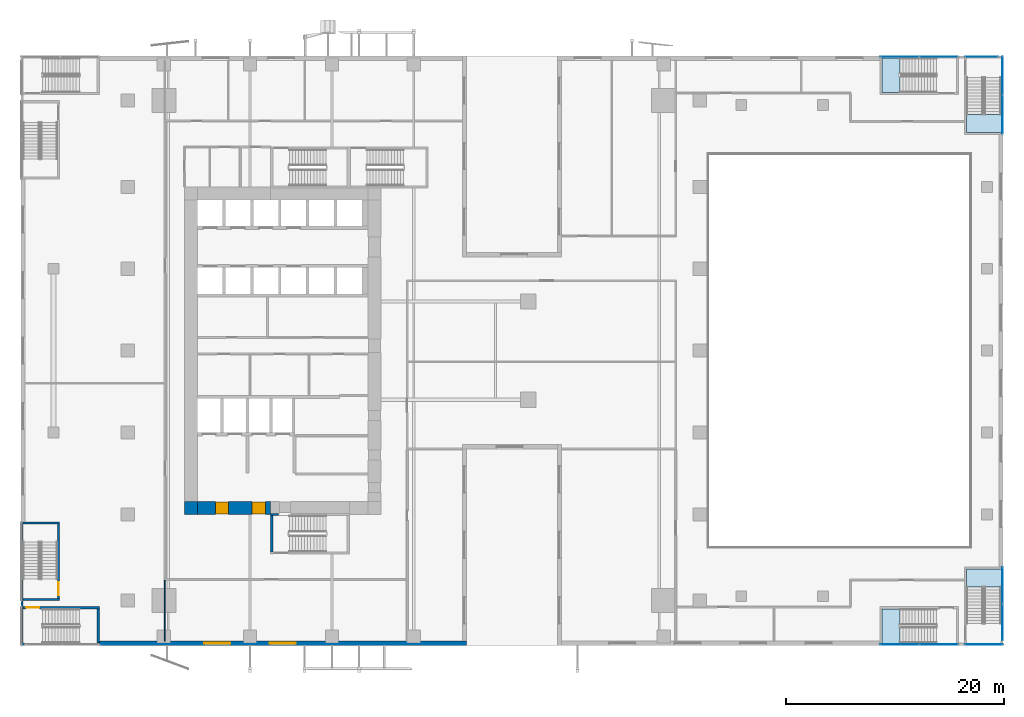
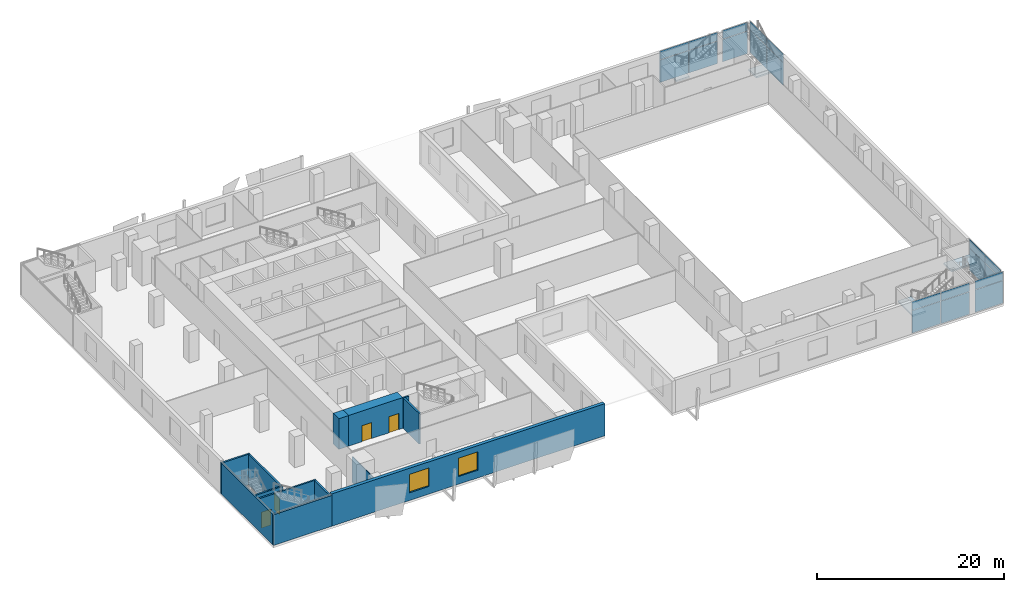
# One storey, part 9 of 21: 20 plates, 13 walls, 4 doors, 4 slabs, 2 windows, 6 openings, 10 elements without a shape of their own.
"""IFC4 building model written with IfcOpenShell, lengths in metres."""

from ifc_helpers import new_model, si_unit, direction, frame, frame_2d, origin, origin_2d, place, context, subcontext, project, spatial, polyline, rectangle, outline, extrude, source, transform, mapped, material, layer, layer_set, type_object, element, fill, aggregate, save


model = new_model("IFC4")

# Units and contexts
model_context = context("Model", 3, precision=1e-05, world=origin(), true_north=direction((0.0, 1.0)))
body_context = subcontext(model_context, "Body", "Model", "MODEL_VIEW")
ifc_project = project(units=[si_unit("LENGTHUNIT", "METRE"), si_unit("AREAUNIT", "SQUARE_METRE"), si_unit("VOLUMEUNIT", "CUBIC_METRE"), si_unit("PLANEANGLEUNIT", "RADIAN"), si_unit("MASSUNIT", "GRAM", prefix="KILO")], contexts=[model_context])

# Site, building, storey
site_placement = place(None, origin())
site = spatial("IfcSite", under=ifc_project, at=site_placement, CompositionType="ELEMENT")
building_placement = place(site_placement, origin())
building = spatial("IfcBuilding", under=site, at=building_placement, Name="Khomas Fold Tower", CompositionType="ELEMENT")
storey_placement = place(building_placement, frame((0.0, 0.0, 28.5)))
storey = spatial("IfcBuildingStorey", under=building, at=storey_placement, Name="L05", CompositionType="ELEMENT", Elevation=28.5)

# Curtain wall, plate
ifc_material_1 = material(Name="Aluminium framed double glazing", Category="aluminium")
curtain_wall_type = type_object("IfcCurtainWallType", Name="Shopfront glazing PD-CW", PredefinedType="NOTDEFINED", material=ifc_material_1)
curtain_wall_1_placement = place(storey_placement, origin())
curtain_wall_1 = element("IfcCurtainWall", 1, at=curtain_wall_1_placement, inside=storey, type_object=curtain_wall_type, Name="Podium stair-tower glazing", PredefinedType="NOTDEFINED")
ifc_material_2 = material(Name="Double glazed unit")
ifc_layer_1 = layer(ifc_material_2, 0.031982421875)
ifc_layer_set_1 = layer_set([ifc_layer_1], Name="Double glazed unit")
plate_type = type_object("IfcPlateType", Name="Shopfront glazing panel PD-CW-P", PredefinedType="CURTAIN_PANEL", material=ifc_layer_set_1)
shared_shape_1 = source(origin(), body_context, "Body", "SweptSolid", [
    extrude(rectangle(XDim=3.0400390625, YDim=0.031982421875, at=origin_2d()), origin(), (0.0, 0.0, 1.0), 2.909912109375),
])
plate_1_placement = place(storey_placement, frame((79.02001953125, 53.919921875, 0.06005859375), z_axis=(0.0, 0.0, 1.0), x_axis=(-1.0, 0.0, 0.0)))
plate_1 = element("IfcPlate", 2, at=plate_1_placement, type_object=plate_type, Name="PD-CW panel 1.1", PredefinedType="CURTAIN_PANEL", context=body_context, shape_type="MappedRepresentation", body=[
    mapped(shared_shape_1, transform((0.0, 0.0, 0.0))),
])

# Curtain wall, plates
curtain_wall_2_placement = place(storey_placement, origin())
curtain_wall_2 = element("IfcCurtainWall", 3, at=curtain_wall_2_placement, inside=storey, type_object=curtain_wall_type, Name="Podium stair-tower glazing", PredefinedType="NOTDEFINED")
shared_shape_2 = source(origin(), body_context, "Body", "SweptSolid", [
    extrude(rectangle(XDim=3.52001953125, YDim=0.031982421875, at=origin_2d()), origin(), (0.0, 0.0, 1.0), 2.909912109375),
])
plate_2_placement = place(storey_placement, frame((71.510009765625, 0.080078125, 0.06005859375), z_axis=(0.0, 0.0, 1.0), x_axis=(1.0, 0.0, 0.0)))
plate_2 = element("IfcPlate", 4, at=plate_2_placement, type_object=plate_type, Name="PD-CW panel 1.1", PredefinedType="CURTAIN_PANEL", context=body_context, shape_type="MappedRepresentation", body=[
    mapped(shared_shape_2, transform((0.0, 0.0, 0.0))),
])
plate_3_placement = place(storey_placement, frame((75.090087890625, 0.080078125, 0.06005859375), z_axis=(0.0, 0.0, 1.0), x_axis=(1.0, 0.0, 0.0)))
plate_3 = element("IfcPlate", 5, at=plate_3_placement, type_object=plate_type, Name="PD-CW panel 2.1", PredefinedType="CURTAIN_PANEL", context=body_context, shape_type="MappedRepresentation", body=[
    mapped(shared_shape_2, transform((0.0, 0.0, 0.0))),
])

curtain_wall_3_placement = place(storey_placement, origin())
curtain_wall_3 = element("IfcCurtainWall", 6, at=curtain_wall_3_placement, inside=storey, type_object=curtain_wall_type, Name="Podium stair-tower glazing", PredefinedType="NOTDEFINED")
plate_4_placement = place(storey_placement, frame((75.090087890625, 53.919921875, 0.06005859375), z_axis=(0.0, 0.0, 1.0), x_axis=(-1.0, 0.0, 0.0)))
plate_4 = element("IfcPlate", 7, at=plate_4_placement, type_object=plate_type, Name="PD-CW panel 1.1", PredefinedType="CURTAIN_PANEL", context=body_context, shape_type="MappedRepresentation", body=[
    mapped(shared_shape_2, transform((0.0, 0.0, 0.0))),
])
plate_5_placement = place(storey_placement, frame((71.510009765625, 53.919921875, 0.06005859375), z_axis=(0.0, 0.0, 1.0), x_axis=(-1.0, 0.0, 0.0)))
plate_5 = element("IfcPlate", 8, at=plate_5_placement, type_object=plate_type, Name="PD-CW panel 2.1", PredefinedType="CURTAIN_PANEL", context=body_context, shape_type="MappedRepresentation", body=[
    mapped(shared_shape_2, transform((0.0, 0.0, 0.0))),
])

# Curtain wall, plate
curtain_wall_4_placement = place(storey_placement, origin())
curtain_wall_4 = element("IfcCurtainWall", 9, at=curtain_wall_4_placement, inside=storey, type_object=curtain_wall_type, Name="Podium stair-tower glazing", PredefinedType="NOTDEFINED")
shared_shape_3 = source(origin(), body_context, "Body", "SweptSolid", [
    extrude(rectangle(XDim=3.43994140625, YDim=0.031982421875, at=origin_2d()), origin(), (0.0, 0.0, 1.0), 2.909912109375),
])
plate_6_placement = place(storey_placement, frame((79.219970703125, 0.080078125, 0.06005859375), z_axis=(0.0, 0.0, 1.0), x_axis=(1.0, 0.0, 0.0)))
plate_6 = element("IfcPlate", 10, at=plate_6_placement, type_object=plate_type, Name="PD-CW panel 1.1", PredefinedType="CURTAIN_PANEL", context=body_context, shape_type="MappedRepresentation", body=[
    mapped(shared_shape_3, transform((0.0, 0.0, 0.0))),
])

# Curtain wall, plates
curtain_wall_5_placement = place(storey_placement, origin())
curtain_wall_5 = element("IfcCurtainWall", 11, at=curtain_wall_5_placement, inside=storey, type_object=curtain_wall_type, Name="Podium stair-tower glazing", PredefinedType="NOTDEFINED")
shared_shape_4 = source(origin(), body_context, "Body", "SweptSolid", [
    extrude(rectangle(XDim=3.31494140625, YDim=0.031982421875, at=origin_2d()), origin(), (0.0, 0.0, 1.0), 2.909912109375),
])
plate_7_placement = place(storey_placement, frame((80.919921875, 2.117431640625, 0.06005859375), z_axis=(0.0, 0.0, 1.0), x_axis=(0.0, 1.0, 0.0)))
plate_7 = element("IfcPlate", 12, at=plate_7_placement, type_object=plate_type, Name="PD-CW panel 1.1", PredefinedType="CURTAIN_PANEL", context=body_context, shape_type="MappedRepresentation", body=[
    mapped(shared_shape_4, transform((0.0, 0.0, 0.0))),
])
plate_8_placement = place(storey_placement, frame((80.919921875, 5.492431640625, 0.06005859375), z_axis=(0.0, 0.0, 1.0), x_axis=(0.0, 1.0, 0.0)))
plate_8 = element("IfcPlate", 13, at=plate_8_placement, type_object=plate_type, Name="PD-CW panel 2.1", PredefinedType="CURTAIN_PANEL", context=body_context, shape_type="MappedRepresentation", body=[
    mapped(shared_shape_4, transform((0.0, 0.0, 0.0))),
])

curtain_wall_6_placement = place(storey_placement, origin())
curtain_wall_6 = element("IfcCurtainWall", 14, at=curtain_wall_6_placement, inside=storey, type_object=curtain_wall_type, Name="Podium stair-tower glazing", PredefinedType="NOTDEFINED")
shared_shape_5 = source(origin(), body_context, "Body", "SweptSolid", [
    extrude(rectangle(XDim=3.514892578125, YDim=0.031982421875, at=origin_2d()), origin(), (0.0, 0.0, 1.0), 2.909912109375),
])
plate_9_placement = place(storey_placement, frame((80.919921875, 48.607421875, 0.06005859375), z_axis=(0.0, 0.0, 1.0), x_axis=(0.0, 1.0, 0.0)))
plate_9 = element("IfcPlate", 15, at=plate_9_placement, type_object=plate_type, Name="PD-CW panel 1.1", PredefinedType="CURTAIN_PANEL", context=body_context, shape_type="MappedRepresentation", body=[
    mapped(shared_shape_5, transform((0.0, 0.0, 0.0))),
])
plate_10_placement = place(storey_placement, frame((80.919921875, 52.1826171875, 0.06005859375), z_axis=(0.0, 0.0, 1.0), x_axis=(0.0, 1.0, 0.0)))
plate_10 = element("IfcPlate", 16, at=plate_10_placement, type_object=plate_type, Name="PD-CW panel 2.1", PredefinedType="CURTAIN_PANEL", context=body_context, shape_type="MappedRepresentation", body=[
    mapped(shared_shape_5, transform((0.0, 0.0, 0.0))),
])

# Plate
shared_shape_6 = source(origin(), body_context, "Body", "SweptSolid", [
    extrude(rectangle(XDim=3.0400390625, YDim=0.031982421875, at=origin_2d()), origin(), (0.0, 0.0, 1.0), 1.110107421875),
])
plate_11_placement = place(storey_placement, frame((79.02001953125, 53.919921875, 3.02978515625), z_axis=(0.0, 0.0, 1.0), x_axis=(-1.0, 0.0, 0.0)))
plate_11 = element("IfcPlate", 17, at=plate_11_placement, type_object=plate_type, Name="PD-CW panel 1.2", PredefinedType="CURTAIN_PANEL", context=body_context, shape_type="MappedRepresentation", body=[
    mapped(shared_shape_6, transform((0.0, 0.0, 0.0))),
])

aggregate(curtain_wall_1, [plate_1, plate_11])

shared_shape_7 = source(origin(), body_context, "Body", "SweptSolid", [
    extrude(rectangle(XDim=3.52001953125, YDim=0.031982421875, at=origin_2d()), origin(), (0.0, 0.0, 1.0), 1.110107421875),
])
plate_12_placement = place(storey_placement, frame((71.510009765625, 0.080078125, 3.02978515625), z_axis=(0.0, 0.0, 1.0), x_axis=(1.0, 0.0, 0.0)))
plate_12 = element("IfcPlate", 18, at=plate_12_placement, type_object=plate_type, Name="PD-CW panel 1.2", PredefinedType="CURTAIN_PANEL", context=body_context, shape_type="MappedRepresentation", body=[
    mapped(shared_shape_7, transform((0.0, 0.0, 0.0))),
])

plate_13_placement = place(storey_placement, frame((75.090087890625, 0.080078125, 3.02978515625), z_axis=(0.0, 0.0, 1.0), x_axis=(1.0, 0.0, 0.0)))
plate_13 = element("IfcPlate", 19, at=plate_13_placement, type_object=plate_type, Name="PD-CW panel 2.2", PredefinedType="CURTAIN_PANEL", context=body_context, shape_type="MappedRepresentation", body=[
    mapped(shared_shape_7, transform((0.0, 0.0, 0.0))),
])

aggregate(curtain_wall_2, [plate_2, plate_12, plate_3, plate_13])

plate_14_placement = place(storey_placement, frame((75.090087890625, 53.919921875, 3.02978515625), z_axis=(0.0, 0.0, 1.0), x_axis=(-1.0, 0.0, 0.0)))
plate_14 = element("IfcPlate", 20, at=plate_14_placement, type_object=plate_type, Name="PD-CW panel 1.2", PredefinedType="CURTAIN_PANEL", context=body_context, shape_type="MappedRepresentation", body=[
    mapped(shared_shape_7, transform((0.0, 0.0, 0.0))),
])

plate_15_placement = place(storey_placement, frame((71.510009765625, 53.919921875, 3.02978515625), z_axis=(0.0, 0.0, 1.0), x_axis=(-1.0, 0.0, 0.0)))
plate_15 = element("IfcPlate", 21, at=plate_15_placement, type_object=plate_type, Name="PD-CW panel 2.2", PredefinedType="CURTAIN_PANEL", context=body_context, shape_type="MappedRepresentation", body=[
    mapped(shared_shape_7, transform((0.0, 0.0, 0.0))),
])

aggregate(curtain_wall_3, [plate_4, plate_14, plate_5, plate_15])

shared_shape_8 = source(origin(), body_context, "Body", "SweptSolid", [
    extrude(rectangle(XDim=3.43994140625, YDim=0.031982421875, at=origin_2d()), origin(), (0.0, 0.0, 1.0), 1.110107421875),
])
plate_16_placement = place(storey_placement, frame((79.219970703125, 0.080078125, 3.02978515625), z_axis=(0.0, 0.0, 1.0), x_axis=(1.0, 0.0, 0.0)))
plate_16 = element("IfcPlate", 22, at=plate_16_placement, type_object=plate_type, Name="PD-CW panel 1.2", PredefinedType="CURTAIN_PANEL", context=body_context, shape_type="MappedRepresentation", body=[
    mapped(shared_shape_8, transform((0.0, 0.0, 0.0))),
])

aggregate(curtain_wall_4, [plate_6, plate_16])

shared_shape_9 = source(origin(), body_context, "Body", "SweptSolid", [
    extrude(rectangle(XDim=3.31494140625, YDim=0.031982421875, at=origin_2d()), origin(), (0.0, 0.0, 1.0), 1.110107421875),
])
plate_17_placement = place(storey_placement, frame((80.919921875, 2.117431640625, 3.02978515625), z_axis=(0.0, 0.0, 1.0), x_axis=(0.0, 1.0, 0.0)))
plate_17 = element("IfcPlate", 23, at=plate_17_placement, type_object=plate_type, Name="PD-CW panel 1.2", PredefinedType="CURTAIN_PANEL", context=body_context, shape_type="MappedRepresentation", body=[
    mapped(shared_shape_9, transform((0.0, 0.0, 0.0))),
])

plate_18_placement = place(storey_placement, frame((80.919921875, 5.492431640625, 3.02978515625), z_axis=(0.0, 0.0, 1.0), x_axis=(0.0, 1.0, 0.0)))
plate_18 = element("IfcPlate", 24, at=plate_18_placement, type_object=plate_type, Name="PD-CW panel 2.2", PredefinedType="CURTAIN_PANEL", context=body_context, shape_type="MappedRepresentation", body=[
    mapped(shared_shape_9, transform((0.0, 0.0, 0.0))),
])

aggregate(curtain_wall_5, [plate_7, plate_17, plate_8, plate_18])

shared_shape_10 = source(origin(), body_context, "Body", "SweptSolid", [
    extrude(rectangle(XDim=3.514892578125, YDim=0.031982421875, at=origin_2d()), origin(), (0.0, 0.0, 1.0), 1.110107421875),
])
plate_19_placement = place(storey_placement, frame((80.919921875, 48.607421875, 3.02978515625), z_axis=(0.0, 0.0, 1.0), x_axis=(0.0, 1.0, 0.0)))
plate_19 = element("IfcPlate", 25, at=plate_19_placement, type_object=plate_type, Name="PD-CW panel 1.2", PredefinedType="CURTAIN_PANEL", context=body_context, shape_type="MappedRepresentation", body=[
    mapped(shared_shape_10, transform((0.0, 0.0, 0.0))),
])

plate_20_placement = place(storey_placement, frame((80.919921875, 52.1826171875, 3.02978515625), z_axis=(0.0, 0.0, 1.0), x_axis=(0.0, 1.0, 0.0)))
plate_20 = element("IfcPlate", 26, at=plate_20_placement, type_object=plate_type, Name="PD-CW panel 2.2", PredefinedType="CURTAIN_PANEL", context=body_context, shape_type="MappedRepresentation", body=[
    mapped(shared_shape_10, transform((0.0, 0.0, 0.0))),
])

aggregate(curtain_wall_6, [plate_9, plate_19, plate_10, plate_20])

# Stair, slab
ifc_material_3 = material(Name="Concrete C40/50", Category="concrete")
stair_type_1 = type_object("IfcStairType", Name="Stair PS3", PredefinedType="HALF_TURN_STAIR", material=ifc_material_3)
stair_1_placement = place(storey_placement, origin())
stair_1 = element("IfcStair", 27, at=stair_1_placement, inside=storey, type_object=stair_type_1, Name="L05 PS3", PredefinedType="HALF_TURN_STAIR")
ifc_material_4 = material(Name="Concrete C40/50", Category="concrete")
ifc_layer_2 = layer(ifc_material_4, 0.199951171875)
ifc_layer_set_2 = layer_set([ifc_layer_2], Name="Concrete C40/50")
slab_type = type_object("IfcSlabType", Name="Stair landing 200", PredefinedType="LANDING", material=ifc_layer_set_2)
shared_shape_11 = source(origin(), body_context, "Body", "SweptSolid", [
    extrude(outline(polyline([(71.5400390625, 3.35009765625), (69.89990234375, 3.35009765625), (69.89990234375, 0.199951171875), (71.5400390625, 0.199951171875), (71.5400390625, 3.35009765625)])), origin(), (0.0, 0.0, 1.0), 0.199951171875),
])
slab_1_placement = place(storey_placement, frame((0.0, 0.0, 2.050048828125)))
slab_1 = element("IfcSlab", 28, at=slab_1_placement, type_object=slab_type, Name="PS3 landing 1", PredefinedType="LANDING", context=body_context, shape_type="MappedRepresentation", body=[
    mapped(shared_shape_11, transform((0.0, 0.0, 0.0))),
])
aggregate(stair_1, [slab_1])

ifc_material_5 = material(Name="Concrete C40/50", Category="concrete")
stair_type_2 = type_object("IfcStairType", Name="Stair PS4", PredefinedType="HALF_TURN_STAIR", material=ifc_material_5)
stair_2_placement = place(storey_placement, origin())
stair_2 = element("IfcStair", 29, at=stair_2_placement, inside=storey, type_object=stair_type_2, Name="L05 PS4", PredefinedType="HALF_TURN_STAIR")
shared_shape_12 = source(origin(), body_context, "Body", "SweptSolid", [
    extrude(outline(polyline([(80.800048828125, 5.360107421875), (80.800048828125, 7.0), (77.64990234375, 7.0), (77.64990234375, 5.360107421875), (80.800048828125, 5.360107421875)])), origin(), (0.0, 0.0, 1.0), 0.199951171875),
])
slab_2_placement = place(storey_placement, frame((0.0, 0.0, 2.050048828125)))
slab_2 = element("IfcSlab", 30, at=slab_2_placement, type_object=slab_type, Name="PS4 landing 1", PredefinedType="LANDING", context=body_context, shape_type="MappedRepresentation", body=[
    mapped(shared_shape_12, transform((0.0, 0.0, 0.0))),
])
aggregate(stair_2, [slab_2])

ifc_material_6 = material(Name="Concrete C40/50", Category="concrete")
stair_type_3 = type_object("IfcStairType", Name="Stair PS5", PredefinedType="HALF_TURN_STAIR", material=ifc_material_6)
stair_3_placement = place(storey_placement, origin())
stair_3 = element("IfcStair", 31, at=stair_3_placement, inside=storey, type_object=stair_type_3, Name="L05 PS5", PredefinedType="HALF_TURN_STAIR")
shared_shape_13 = source(origin(), body_context, "Body", "SweptSolid", [
    extrude(outline(polyline([(71.5400390625, 53.800048828125), (69.89990234375, 53.800048828125), (69.89990234375, 50.64990234375), (71.5400390625, 50.64990234375), (71.5400390625, 53.800048828125)])), origin(), (0.0, 0.0, 1.0), 0.199951171875),
])
slab_3_placement = place(storey_placement, frame((0.0, 0.0, 2.050048828125)))
slab_3 = element("IfcSlab", 32, at=slab_3_placement, type_object=slab_type, Name="PS5 landing 1", PredefinedType="LANDING", context=body_context, shape_type="MappedRepresentation", body=[
    mapped(shared_shape_13, transform((0.0, 0.0, 0.0))),
])
aggregate(stair_3, [slab_3])

ifc_material_7 = material(Name="Concrete C40/50", Category="concrete")
stair_type_4 = type_object("IfcStairType", Name="Stair PS6", PredefinedType="HALF_TURN_STAIR", material=ifc_material_7)
stair_4_placement = place(storey_placement, origin())
stair_4 = element("IfcStair", 33, at=stair_4_placement, inside=storey, type_object=stair_type_4, Name="L05 PS6", PredefinedType="HALF_TURN_STAIR")
shared_shape_14 = source(origin(), body_context, "Body", "SweptSolid", [
    extrude(outline(polyline([(77.64990234375, 48.639892578125), (77.64990234375, 47.0), (80.800048828125, 47.0), (80.800048828125, 48.639892578125), (77.64990234375, 48.639892578125)])), origin(), (0.0, 0.0, 1.0), 0.199951171875),
])
slab_4_placement = place(storey_placement, frame((0.0, 0.0, 2.050048828125)))
slab_4 = element("IfcSlab", 34, at=slab_4_placement, type_object=slab_type, Name="PS6 landing 1", PredefinedType="LANDING", context=body_context, shape_type="MappedRepresentation", body=[
    mapped(shared_shape_14, transform((0.0, 0.0, 0.0))),
])
aggregate(stair_4, [slab_4])

# Wall, openings, doors
ifc_material_8 = material(Name="Concrete C70/85", Category="concrete")
ifc_layer_3 = layer(ifc_material_8, 1.199951171875)
ifc_layer_set_3 = layer_set([ifc_layer_3], Name="Concrete C70/85")
wall_type_1 = type_object("IfcWallType", Name="Core wall 1200", PredefinedType="SHEAR", material=ifc_layer_set_3)
shared_shape_15 = source(origin(), body_context, "Body", "SweptSolid", [
    extrude(rectangle(XDim=6.699951171875, YDim=1.199951171875, at=frame_2d((3.35009765625, 0.0))), origin(), (0.0, 0.0, 1.0), 4.0),
])
wall_1_placement = place(storey_placement, frame((7.199951171875, 12.60009765625, 0.0), z_axis=(0.0, 0.0, 1.0), x_axis=(1.0, 0.0, 0.0)))
wall_1 = element("IfcWall", 35, at=wall_1_placement, inside=storey, type_object=wall_type_1, Name="Core wall CW-L-S-B2", PredefinedType="SHEAR", context=body_context, shape_type="MappedRepresentation", body=[
    mapped(shared_shape_15, transform((0.0, 0.0, 0.0))),
])
shared_shape_16 = source(origin(), body_context, "Body", "SweptSolid", [
    extrude(rectangle(XDim=1.199951171875, YDim=2.10009765625, at=frame_2d((0.60009765625, 1.050048828125))), frame((0.0, 0.60986328125, 0.0), z_axis=(0.0, -1.0, 0.0), x_axis=(1.0, 0.0, 0.0)), (0.0, 0.0, 1.0), 1.219970703125),
])
opening_1_placement = place(wall_1_placement, frame((5.0, 0.0, 0.0)))
opening_1 = element("IfcOpeningElement", 36, at=opening_1_placement, cuts=wall_1, Name="Opening 0009", PredefinedType="OPENING", context=body_context, shape_type="MappedRepresentation", body=[
    mapped(shared_shape_16, transform((0.0, 0.0, 0.0))),
])
opening_2_placement = place(wall_1_placement, frame((1.64990234375, 0.0, 0.0)))
opening_2 = element("IfcOpeningElement", 37, at=opening_2_placement, cuts=wall_1, Name="Opening 0009", PredefinedType="OPENING", context=body_context, shape_type="MappedRepresentation", body=[
    mapped(shared_shape_16, transform((0.0, 0.0, 0.0))),
])
ifc_material_9 = material(Name="Steel door leaf", Category="steel")
door_type_1 = type_object("IfcDoorType", Name="Lobby door 1200x2100 right-hand", OperationType="SINGLE_SWING_RIGHT", PredefinedType="DOOR", material=ifc_material_9)
shared_shape_17 = source(origin(), body_context, "Body", "SweptSolid", [
    extrude(rectangle(XDim=1.199951171875, YDim=2.10009765625, at=frame_2d((0.60009765625, 1.050048828125))), frame((0.0, 0.5498046875, 0.0), z_axis=(0.0, -1.0, 0.0), x_axis=(1.0, 0.0, 0.0)), (0.0, 0.0, 1.0), 1.099853515625),
])
door_1_placement = place(opening_1_placement, origin())
door_1 = element("IfcDoor", 38, at=door_1_placement, inside=storey, type_object=door_type_1, Name="Lobby door", OperationType="SINGLE_SWING_RIGHT", OverallHeight=2.10009765625, OverallWidth=1.199951171875, PredefinedType="DOOR", context=body_context, shape_type="MappedRepresentation", body=[
    mapped(shared_shape_17, transform((0.0, 0.0, 0.0))),
])
fill(opening_1, door_1)
door_2_placement = place(opening_2_placement, origin())
door_2 = element("IfcDoor", 39, at=door_2_placement, inside=storey, type_object=door_type_1, Name="Lobby door", OperationType="SINGLE_SWING_RIGHT", OverallHeight=2.10009765625, OverallWidth=1.199951171875, PredefinedType="DOOR", context=body_context, shape_type="MappedRepresentation", body=[
    mapped(shared_shape_17, transform((0.0, 0.0, 0.0))),
])
fill(opening_2, door_2)

# Wall
ifc_material_10 = material(Name="Concrete C70/85", Category="concrete")
ifc_layer_4 = layer(ifc_material_10, 1.199951171875)
ifc_layer_set_4 = layer_set([ifc_layer_4], Name="Concrete C70/85")
wall_type_2 = type_object("IfcWallType", Name="Core corner wall 1200", PredefinedType="SHEAR", material=ifc_layer_set_4)
shared_shape_18 = source(origin(), body_context, "Body", "SweptSolid", [
    extrude(rectangle(XDim=1.199951171875, YDim=1.199951171875, at=frame_2d((0.60009765625, 0.0))), origin(), (0.0, 0.0, 1.0), 4.0),
])
wall_2_placement = place(storey_placement, frame((6.0, 12.60009765625, 0.0), z_axis=(0.0, 0.0, 1.0), x_axis=(1.0, 0.0, 0.0)))
element("IfcWall", 40, at=wall_2_placement, inside=storey, type_object=wall_type_2, Name="Core wall CW-L-SW-B2", PredefinedType="SHEAR", context=body_context, shape_type="MappedRepresentation", body=[
    mapped(shared_shape_18, transform((0.0, 0.0, 0.0))),
])

# Wall, opening, door
ifc_material_11 = material(Name="Concrete C30/37", Category="concrete")
ifc_layer_5 = layer(ifc_material_11, 0.199951171875)
ifc_layer_set_5 = layer_set([ifc_layer_5], Name="Concrete C30/37")
wall_type_3 = type_object("IfcWallType", Name="Stair wall PW5 200", PredefinedType="PARTITIONING", material=ifc_layer_set_5)
shared_shape_19 = source(origin(), body_context, "Body", "SweptSolid", [
    extrude(rectangle(XDim=7.0, YDim=0.199951171875, at=frame_2d((3.5, 0.0))), origin(), (0.0, 0.0, 1.0), 4.0),
])
wall_3_placement = place(storey_placement, frame((-8.800048828125, 3.449951171875, 0.0), z_axis=(0.0, 0.0, 1.0), x_axis=(1.0, 0.0, 0.0)))
wall_3 = element("IfcWall", 41, at=wall_3_placement, inside=storey, type_object=wall_type_3, Name="Stair wall", PredefinedType="PARTITIONING", context=body_context, shape_type="MappedRepresentation", body=[
    mapped(shared_shape_19, transform((0.0, 0.0, 0.0))),
])
shared_shape_20 = source(origin(), body_context, "Body", "SweptSolid", [
    extrude(rectangle(XDim=1.199951171875, YDim=2.10009765625, at=frame_2d((0.60009765625, 1.050048828125))), frame((0.0, 0.10986328125, 0.0), z_axis=(0.0, -1.0, 0.0), x_axis=(1.0, 0.0, 0.0)), (0.0, 0.0, 1.0), 0.219970703125),
])
opening_3_placement = place(wall_3_placement, frame((0.300048828125, 0.0, 0.0)))
opening_3 = element("IfcOpeningElement", 42, at=opening_3_placement, cuts=wall_3, Name="Opening 0017", PredefinedType="OPENING", context=body_context, shape_type="MappedRepresentation", body=[
    mapped(shared_shape_20, transform((0.0, 0.0, 0.0))),
])
ifc_material_12 = material(Name="Steel door leaf", Category="steel")
door_type_2 = type_object("IfcDoorType", Name="Stair door 1200x2100 left-hand", OperationType="SINGLE_SWING_LEFT", PredefinedType="DOOR", material=ifc_material_12)
shared_shape_21 = source(origin(), body_context, "Body", "SweptSolid", [
    extrude(rectangle(XDim=1.199951171875, YDim=2.10009765625, at=frame_2d((0.60009765625, 1.050048828125))), frame((0.0, 0.02490234375, 0.0), z_axis=(0.0, -1.0, 0.0), x_axis=(1.0, 0.0, 0.0)), (0.0, 0.0, 1.0), 0.050048828125),
])
door_3_placement = place(opening_3_placement, origin())
door_3 = element("IfcDoor", 43, at=door_3_placement, inside=storey, type_object=door_type_2, Name="Stair door", OperationType="SINGLE_SWING_LEFT", OverallHeight=2.10009765625, OverallWidth=1.199951171875, PredefinedType="DOOR", context=body_context, shape_type="MappedRepresentation", body=[
    mapped(shared_shape_21, transform((0.0, 0.0, 0.0))),
])
fill(opening_3, door_3)

# Walls
ifc_material_13 = material(Name="Concrete C50/60", Category="concrete")
ifc_layer_6 = layer(ifc_material_13, 0.199951171875)
ifc_layer_set_6 = layer_set([ifc_layer_6], Name="Concrete C50/60")
wall_type_4 = type_object("IfcWallType", Name="Stair wall 200", PredefinedType="SHEAR", material=ifc_layer_set_6)
shared_shape_22 = source(origin(), body_context, "Body", "SweptSolid", [
    extrude(rectangle(XDim=0.7001953125, YDim=0.199951171875, at=frame_2d((0.35009765625, 0.0))), origin(), (0.0, 0.0, 1.0), 4.0),
])
wall_4_placement = place(storey_placement, frame((13.89990234375, 12.0, 0.0), z_axis=(0.0, 0.0, 1.0), x_axis=(1.0, 0.0, 0.0)))
element("IfcWall", 44, at=wall_4_placement, inside=storey, type_object=wall_type_4, Name="Stair wall SW-ST2-N", PredefinedType="SHEAR", context=body_context, shape_type="MappedRepresentation", body=[
    mapped(shared_shape_22, transform((0.0, 0.0, 0.0))),
])
shared_shape_23 = source(origin(), body_context, "Body", "SweptSolid", [
    extrude(rectangle(XDim=3.349853515625, YDim=0.199951171875, at=frame_2d((1.6748046875, 0.0))), origin(), (0.0, 0.0, 1.0), 4.0),
])
wall_5_placement = place(storey_placement, frame((14.0, 8.550048828125, 0.0), z_axis=(0.0, 0.0, 1.0), x_axis=(0.0, 1.0, 0.0)))
element("IfcWall", 45, at=wall_5_placement, inside=storey, type_object=wall_type_4, Name="Stair wall SW-ST2-W", PredefinedType="SHEAR", context=body_context, shape_type="MappedRepresentation", body=[
    mapped(shared_shape_23, transform((0.0, 0.0, 0.0))),
])

# Wall, openings, windows
ifc_material_14 = material(Name="Concrete C40/50", Category="concrete")
ifc_layer_7 = layer(ifc_material_14, 0.39990234375)
ifc_layer_set_7 = layer_set([ifc_layer_7], Name="Concrete C40/50")
wall_type_5 = type_object("IfcWallType", Name="Stone-clad concrete wall 400", PredefinedType="SOLIDWALL", material=ifc_layer_set_7)
shared_shape_24 = source(origin(), body_context, "Body", "SweptSolid", [
    extrude(rectangle(XDim=33.64013671875, YDim=0.39990234375, at=frame_2d((16.820068359375, 0.0))), origin(), (0.0, 0.0, 1.0), 4.199951171875),
])
wall_6_placement = place(storey_placement, frame((-1.7900390625, 0.199951171875, 0.0), z_axis=(0.0, 0.0, 1.0), x_axis=(1.0, 0.0, 0.0)))
wall_6 = element("IfcWall", 46, at=wall_6_placement, inside=storey, type_object=wall_type_5, Name="Podium wall", PredefinedType="SOLIDWALL", context=body_context, shape_type="MappedRepresentation", body=[
    mapped(shared_shape_24, transform((0.0, 0.0, 0.0))),
])
shared_shape_25 = source(origin(), body_context, "Body", "SweptSolid", [
    extrude(rectangle(XDim=2.39990234375, YDim=2.39990234375, at=frame_2d((1.199951171875, 1.199951171875))), frame((0.0, 0.2099609375, 0.0), z_axis=(0.0, -1.0, 0.0), x_axis=(1.0, 0.0, 0.0)), (0.0, 0.0, 1.0), 0.419921875),
])
opening_4_placement = place(wall_6_placement, frame((9.60009765625, 0.0, 1.0)))
opening_4 = element("IfcOpeningElement", 47, at=opening_4_placement, cuts=wall_6, Name="Opening PD-WN", PredefinedType="OPENING", context=body_context, shape_type="MappedRepresentation", body=[
    mapped(shared_shape_25, transform((0.0, 0.0, 0.0))),
])
opening_5_placement = place(wall_6_placement, frame((15.60009765625, 0.0, 1.0)))
opening_5 = element("IfcOpeningElement", 48, at=opening_5_placement, cuts=wall_6, Name="Opening PD-WN", PredefinedType="OPENING", context=body_context, shape_type="MappedRepresentation", body=[
    mapped(shared_shape_25, transform((0.0, 0.0, 0.0))),
])
ifc_material_15 = material(Name="Aluminium framed double glazing", Category="aluminium")
window_type = type_object("IfcWindowType", Name="Podium window 2400 x 2400", PartitioningType="SINGLE_PANEL", PredefinedType="WINDOW", material=ifc_material_15)
shared_shape_26 = source(origin(), body_context, "Body", "SweptSolid", [
    extrude(rectangle(XDim=2.39990234375, YDim=2.39990234375, at=frame_2d((1.199951171875, 1.199951171875))), frame((0.0, 0.030029296875, 0.0), z_axis=(0.0, -1.0, 0.0), x_axis=(1.0, 0.0, 0.0)), (0.0, 0.0, 1.0), 0.06005859375),
])
window_1_placement = place(opening_4_placement, origin())
window_1 = element("IfcWindow", 49, at=window_1_placement, inside=storey, type_object=window_type, Name="Podium window", OverallHeight=2.39990234375, OverallWidth=2.39990234375, PartitioningType="SINGLE_PANEL", PredefinedType="WINDOW", context=body_context, shape_type="MappedRepresentation", body=[
    mapped(shared_shape_26, transform((0.0, 0.0, 0.0))),
])
fill(opening_4, window_1)
window_2_placement = place(opening_5_placement, origin())
window_2 = element("IfcWindow", 50, at=window_2_placement, inside=storey, type_object=window_type, Name="Podium window", OverallHeight=2.39990234375, OverallWidth=2.39990234375, PartitioningType="SINGLE_PANEL", PredefinedType="WINDOW", context=body_context, shape_type="MappedRepresentation", body=[
    mapped(shared_shape_26, transform((0.0, 0.0, 0.0))),
])
fill(opening_5, window_2)

# Walls
shared_shape_27 = source(origin(), body_context, "Body", "SweptSolid", [
    extrude(rectangle(XDim=7.199951171875, YDim=0.199951171875, at=frame_2d((3.60009765625, 0.0))), origin(), (0.0, 0.0, 1.0), 4.0),
])
wall_7_placement = place(storey_placement, frame((-9.0, 0.10009765625, 0.0), z_axis=(0.0, 0.0, 1.0), x_axis=(1.0, 0.0, 0.0)))
element("IfcWall", 51, at=wall_7_placement, inside=storey, type_object=wall_type_3, Name="Stair wall", PredefinedType="PARTITIONING", context=body_context, shape_type="MappedRepresentation", body=[
    mapped(shared_shape_27, transform((0.0, 0.0, 0.0))),
])
shared_shape_28 = source(origin(), body_context, "Body", "SweptSolid", [
    extrude(rectangle(XDim=10.900146484375, YDim=0.199951171875, at=frame_2d((5.4501953125, 0.0))), origin(), (0.0, 0.0, 1.0), 4.0),
])
wall_8_placement = place(storey_placement, frame((-8.89990234375, 0.199951171875, 0.0), z_axis=(0.0, 0.0, 1.0), x_axis=(0.0, 1.0, 0.0)))
element("IfcWall", 52, at=wall_8_placement, inside=storey, type_object=wall_type_3, Name="Stair wall", PredefinedType="PARTITIONING", context=body_context, shape_type="MappedRepresentation", body=[
    mapped(shared_shape_28, transform((0.0, 0.0, 0.0))),
])
shared_shape_29 = source(origin(), body_context, "Body", "SweptSolid", [
    extrude(rectangle(XDim=3.150146484375, YDim=0.199951171875, at=frame_2d((1.5751953125, 0.0))), origin(), (0.0, 0.0, 1.0), 4.0),
])
wall_9_placement = place(storey_placement, frame((-1.89990234375, 0.199951171875, 0.0), z_axis=(0.0, 0.0, 1.0), x_axis=(0.0, 1.0, 0.0)))
element("IfcWall", 53, at=wall_9_placement, inside=storey, type_object=wall_type_3, Name="Stair wall", PredefinedType="PARTITIONING", context=body_context, shape_type="MappedRepresentation", body=[
    mapped(shared_shape_29, transform((0.0, 0.0, 0.0))),
])
shared_shape_30 = source(origin(), body_context, "Body", "SweptSolid", [
    extrude(rectangle(XDim=3.35009765625, YDim=0.199951171875, at=frame_2d((1.675048828125, 0.0))), origin(), (0.0, 0.0, 1.0), 4.0),
])
wall_10_placement = place(storey_placement, frame((-8.800048828125, 4.199951171875, 0.0), z_axis=(0.0, 0.0, 1.0), x_axis=(1.0, 0.0, 0.0)))
element("IfcWall", 54, at=wall_10_placement, inside=storey, type_object=wall_type_3, Name="Stair wall", PredefinedType="PARTITIONING", context=body_context, shape_type="MappedRepresentation", body=[
    mapped(shared_shape_30, transform((0.0, 0.0, 0.0))),
])
shared_shape_31 = source(origin(), body_context, "Body", "SweptSolid", [
    extrude(rectangle(XDim=3.550048828125, YDim=0.199951171875, at=frame_2d((1.77490234375, 0.0))), origin(), (0.0, 0.0, 1.0), 4.0),
])
wall_11_placement = place(storey_placement, frame((-9.0, 11.199951171875, 0.0), z_axis=(0.0, 0.0, 1.0), x_axis=(1.0, 0.0, 0.0)))
element("IfcWall", 55, at=wall_11_placement, inside=storey, type_object=wall_type_3, Name="Stair wall", PredefinedType="PARTITIONING", context=body_context, shape_type="MappedRepresentation", body=[
    mapped(shared_shape_31, transform((0.0, 0.0, 0.0))),
])

# Wall, opening, door
shared_shape_32 = source(origin(), body_context, "Body", "SweptSolid", [
    extrude(rectangle(XDim=6.800048828125, YDim=0.199951171875, at=frame_2d((3.39990234375, 0.0))), origin(), (0.0, 0.0, 1.0), 4.0),
])
wall_12_placement = place(storey_placement, frame((-5.550048828125, 4.300048828125, 0.0), z_axis=(0.0, 0.0, 1.0), x_axis=(0.0, 1.0, 0.0)))
wall_12 = element("IfcWall", 56, at=wall_12_placement, inside=storey, type_object=wall_type_3, Name="Stair wall", PredefinedType="PARTITIONING", context=body_context, shape_type="MappedRepresentation", body=[
    mapped(shared_shape_32, transform((0.0, 0.0, 0.0))),
])
opening_6_placement = place(wall_12_placement, frame((0.300048828125, 0.0, 0.0)))
opening_6 = element("IfcOpeningElement", 57, at=opening_6_placement, cuts=wall_12, Name="Opening 0017", PredefinedType="OPENING", context=body_context, shape_type="MappedRepresentation", body=[
    mapped(shared_shape_20, transform((0.0, 0.0, 0.0))),
])
door_4_placement = place(opening_6_placement, origin())
door_4 = element("IfcDoor", 58, at=door_4_placement, inside=storey, type_object=door_type_2, Name="Stair door", OperationType="SINGLE_SWING_LEFT", OverallHeight=2.10009765625, OverallWidth=1.199951171875, PredefinedType="DOOR", context=body_context, shape_type="MappedRepresentation", body=[
    mapped(shared_shape_21, transform((0.0, 0.0, 0.0))),
])
fill(opening_6, door_4)

# Wall
ifc_material_16 = material(Name="Plasterboard partition")
ifc_layer_8 = layer(ifc_material_16, 0.10009765625)
ifc_layer_set_8 = layer_set([ifc_layer_8], Name="Plasterboard partition")
wall_type_6 = type_object("IfcWallType", Name="Partition PW1 100", PredefinedType="PARTITIONING", material=ifc_layer_set_8)
shared_shape_33 = source(origin(), body_context, "Body", "SweptSolid", [
    extrude(rectangle(XDim=5.550048828125, YDim=0.10009765625, at=frame_2d((2.77490234375, 0.0))), origin(), (0.0, 0.0, 1.0), 3.39990234375),
])
wall_13_placement = place(storey_placement, frame((4.199951171875, 0.39990234375, 0.0), z_axis=(0.0, 0.0, 1.0), x_axis=(0.0, 1.0, 0.0)))
element("IfcWall", 59, at=wall_13_placement, inside=storey, type_object=wall_type_6, Name="Partition", PredefinedType="PARTITIONING", context=body_context, shape_type="MappedRepresentation", body=[
    mapped(shared_shape_33, transform((0.0, 0.0, 0.0))),
])

save(model, "model.ifc")
